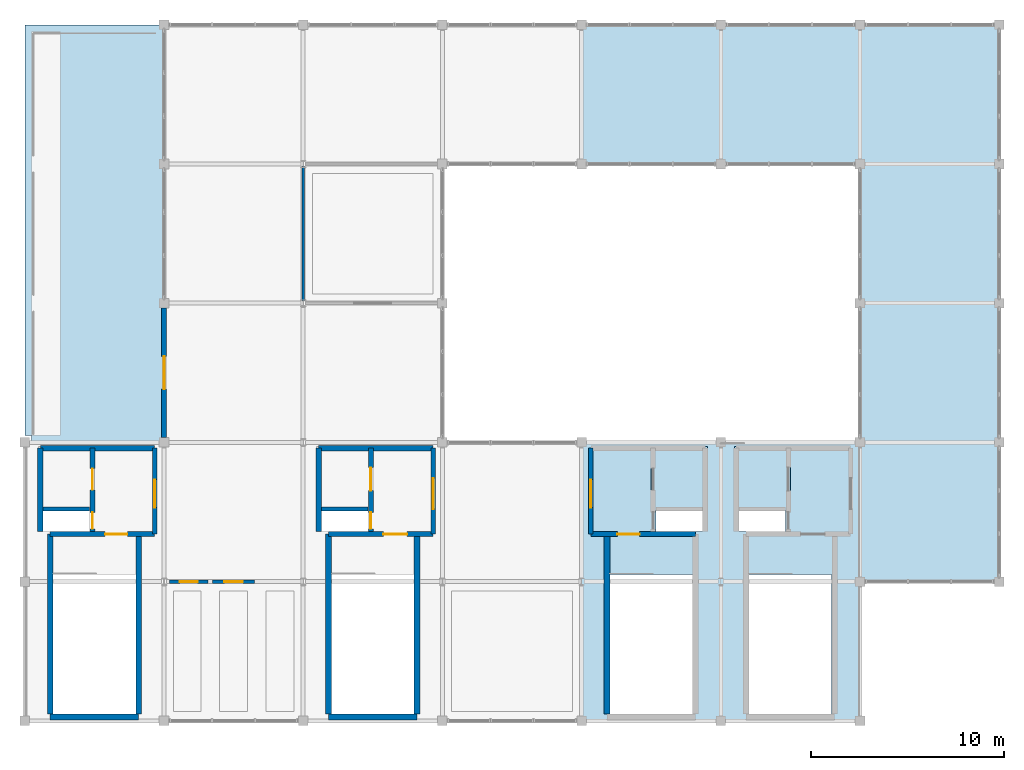
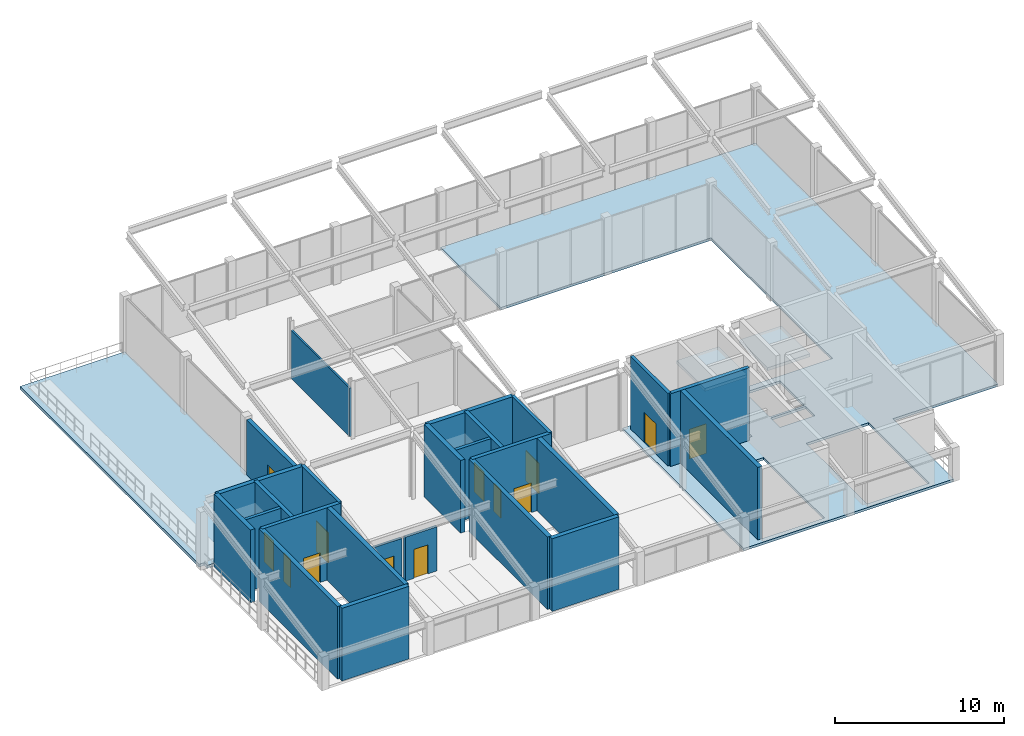
# One storey, part 4 of 16: 25 walls, 13 doors, 4 slabs, 13 openings.
"""IFC4 building model written with IfcOpenShell, lengths in metres."""

from ifc_helpers import new_model, si_unit, direction, frame, frame_2d, origin, place, context, subcontext, project, spatial, polyline, rectangle, outline, extrude, material, layer, layer_set, type_object, element, fill, save


model = new_model("IFC4")

# Units and contexts
model_context = context("Model", 3, precision=1e-05, world=origin(), true_north=direction((0.0, 1.0)))
body_context = subcontext(model_context, "Body", "Model", "MODEL_VIEW")
ifc_project = project(units=[si_unit("LENGTHUNIT", "METRE"), si_unit("AREAUNIT", "SQUARE_METRE"), si_unit("VOLUMEUNIT", "CUBIC_METRE"), si_unit("PLANEANGLEUNIT", "RADIAN"), si_unit("MASSUNIT", "GRAM", prefix="KILO")], contexts=[model_context])

# Site, building, storey
site_placement = place(None, origin())
site = spatial("IfcSite", under=ifc_project, at=site_placement, CompositionType="ELEMENT")
building_placement = place(site_placement, origin())
building = spatial("IfcBuilding", under=site, at=building_placement, Name="Sillqori Civic Hall", CompositionType="ELEMENT")
storey_placement = place(building_placement, frame((0.0, 0.0, 25.800048828125)))
storey = spatial("IfcBuildingStorey", under=building, at=storey_placement, Name="L07", CompositionType="ELEMENT", Elevation=25.800048828125)

# Slabs
ifc_material_1 = material(Name="Concrete C30/37 (H30)", Category="concrete")
ifc_layer_1 = layer(ifc_material_1, 0.179931640625)
ifc_layer_set_1 = layer_set([ifc_layer_1], Name="Concrete C30/37 (H30)")
slab_type_1 = type_object("IfcSlabType", Name="SLB-FLR-180", PredefinedType="FLOOR", material=ifc_layer_set_1)
slab_1_placement = place(storey_placement, frame((0.0, 0.0, -0.179931640625)))
element("IfcSlab", 1, at=slab_1_placement, inside=storey, type_object=slab_type_1, Name="L07 V4 composite floor slab 2.1", PredefinedType="FLOOR", context=body_context, shape_type="SweptSolid", body=[
    extrude(outline(polyline([(86.39990234375, 93.60009765625), (93.60009765625, 93.60009765625), (93.60009765625, 100.800048828125), (93.60009765625, 108.0), (86.39990234375, 108.0), (79.199951171875, 108.0), (79.199951171875, 115.199951171875), (86.39990234375, 115.199951171875), (93.60009765625, 115.199951171875), (100.800048828125, 115.199951171875), (100.800048828125, 108.0), (100.800048828125, 100.800048828125), (100.800048828125, 93.60009765625), (100.800048828125, 86.39990234375), (93.60009765625, 86.39990234375), (93.60009765625, 79.199951171875), (86.39990234375, 79.199951171875), (79.199951171875, 79.199951171875), (79.199951171875, 86.39990234375), (79.199951171875, 93.60009765625), (86.39990234375, 93.60009765625)]), holes=[polyline([(80.659912109375, 86.77001953125), (80.659912109375, 79.550048828125), (84.93994140625, 79.550048828125), (84.93994140625, 86.77001953125), (80.659912109375, 86.77001953125)]), polyline([(92.139892578125, 86.77001953125), (87.860107421875, 86.77001953125), (87.860107421875, 79.550048828125), (92.139892578125, 79.550048828125), (92.139892578125, 86.77001953125)]), polyline([(85.449951171875, 90.10009765625), (83.050048828125, 90.10009765625), (83.050048828125, 89.0), (85.449951171875, 89.0), (85.449951171875, 90.10009765625)]), polyline([(87.35009765625, 90.10009765625), (87.35009765625, 89.0), (89.75, 89.0), (89.75, 90.10009765625), (87.35009765625, 90.10009765625)]), polyline([(85.449951171875, 93.14990234375), (83.050048828125, 93.14990234375), (83.050048828125, 90.25), (85.449951171875, 90.25), (85.449951171875, 93.14990234375)]), polyline([(89.75, 93.14990234375), (87.35009765625, 93.14990234375), (87.35009765625, 90.25), (89.75, 90.25), (89.75, 93.14990234375)])]), origin(), (0.0, 0.0, 1.0), 0.179931640625),
])
ifc_material_2 = material(Name="Concrete C35/45 (H35)", Category="concrete")
ifc_layer_2 = layer(ifc_material_2, 0.219970703125)
ifc_layer_set_2 = layer_set([ifc_layer_2], Name="Concrete C35/45 (H35)")
slab_type_2 = type_object("IfcSlabType", Name="SLB-OVR-220", PredefinedType="ROOF", material=ifc_layer_set_2)
slab_2_placement = place(storey_placement, frame((0.0, 0.0, 3.530029296875)))
element("IfcSlab", 2, at=slab_2_placement, inside=storey, type_object=slab_type_2, Name="Lift shaft overrun slab LF-04", PredefinedType="ROOF", context=body_context, shape_type="SweptSolid", body=[
    extrude(outline(polyline([(82.800048828125, 90.050048828125), (85.699951171875, 90.050048828125), (85.699951171875, 93.39990234375), (82.800048828125, 93.39990234375), (82.800048828125, 90.050048828125)])), origin(), (0.0, 0.0, 1.0), 0.219970703125),
])
slab_3_placement = place(storey_placement, frame((0.0, 0.0, 3.530029296875)))
element("IfcSlab", 3, at=slab_3_placement, inside=storey, type_object=slab_type_2, Name="Lift shaft overrun slab LF-02", PredefinedType="ROOF", context=body_context, shape_type="SweptSolid", body=[
    extrude(outline(polyline([(87.10009765625, 90.050048828125), (90.0, 90.050048828125), (90.0, 93.39990234375), (87.10009765625, 93.39990234375), (87.10009765625, 90.050048828125)])), origin(), (0.0, 0.0, 1.0), 0.219970703125),
])
ifc_layer_3 = layer(ifc_material_2, 0.199951171875)
ifc_layer_set_3 = layer_set([ifc_layer_3], Name="Concrete C35/45 (H35)")
slab_type_3 = type_object("IfcSlabType", Name="SLB-TER-200", PredefinedType="FLOOR", material=ifc_layer_set_3)
slab_4_placement = place(storey_placement, frame((0.0, 0.0, -0.199951171875)))
element("IfcSlab", 4, at=slab_4_placement, inside=storey, type_object=slab_type_3, Name="Observatory West Setback Terrace", PredefinedType="FLOOR", context=body_context, shape_type="SweptSolid", body=[
    extrude(outline(polyline([(50.39990234375, 115.199951171875), (57.60009765625, 115.199951171875), (57.60009765625, 93.60009765625), (50.75, 93.60009765625), (50.75, 93.949951171875), (50.39990234375, 93.949951171875), (50.39990234375, 115.199951171875)])), origin(), (0.0, 0.0, 1.0), 0.199951171875),
])

# Wall
ifc_layer_4 = layer(ifc_material_2, 0.219970703125)
ifc_layer_set_4 = layer_set([ifc_layer_4], Name="Concrete C35/45 (H35)")
wall_type_1 = type_object("IfcWallType", Name="CW-SHR-220", PredefinedType="SHEAR", material=ifc_layer_set_4)
wall_1_placement = place(storey_placement, frame((51.35009765625, 90.14990234375, 0.0), z_axis=(0.0, 0.0, 1.0), x_axis=(1.0, 0.0, 0.0)))
element("IfcWall", 5, at=wall_1_placement, inside=storey, type_object=wall_type_1, Name="L07 C5 Lift-riser divider wall", PredefinedType="SHEAR", context=body_context, shape_type="SweptSolid", body=[
    extrude(rectangle(XDim=2.39990234375, YDim=0.219970703125, at=frame_2d((1.199951171875, 0.0))), origin(), (0.0, 0.0, 1.0), 5.260009765625),
])

# Wall, opening, door
wall_2_placement = place(storey_placement, frame((57.1201171875, 93.300048828125, 0.0), z_axis=(0.0, 0.0, 1.0), x_axis=(0.0, -1.0, 0.0)))
wall_2 = element("IfcWall", 6, at=wall_2_placement, inside=storey, type_object=wall_type_1, Name="L07 C5 firefighting lobby enclosure wall", PredefinedType="SHEAR", context=body_context, shape_type="SweptSolid", body=[
    extrude(rectangle(XDim=4.449951171875, YDim=0.219970703125, at=frame_2d((2.22509765625, 0.0))), origin(), (0.0, 0.0, 1.0), 5.260009765625),
])
opening_1_placement = place(wall_2_placement, frame((1.625, 0.0, 0.0)))
opening_1 = element("IfcOpeningElement", 7, at=opening_1_placement, cuts=wall_2, Name="Opening FD-03", PredefinedType="OPENING", context=body_context, shape_type="SweptSolid", body=[
    extrude(rectangle(XDim=1.449951171875, YDim=2.199951171875, at=frame_2d((0.72509765625, 1.10009765625))), frame((0.0, 0.119873046875, 0.0), z_axis=(0.0, -1.0, 0.0), x_axis=(1.0, 0.0, 0.0)), (0.0, 0.0, 1.0), 0.239990234375),
])
ifc_material_3 = material(Name="Double-Leaf Smoke-Seal Lobby Door", Category="steel")
door_type_1 = type_object("IfcDoorType", Name="FDR-LOB-145X220", OperationType="NOTDEFINED", PredefinedType="DOOR", material=ifc_material_3)
door_1_placement = place(opening_1_placement, origin())
door_1 = element("IfcDoor", 8, at=door_1_placement, inside=storey, type_object=door_type_1, Name="L07 C5 firefighting lobby exit door", OperationType="DOUBLE_DOOR_SINGLE_SWING", OverallHeight=2.199951171875, OverallWidth=1.449951171875, PredefinedType="DOOR", context=body_context, shape_type="SweptSolid", body=[
    extrude(rectangle(XDim=1.449951171875, YDim=2.199951171875, at=frame_2d((0.72509765625, 1.10009765625))), frame((0.0, 0.02490234375, 0.0), z_axis=(0.0, -1.0, 0.0), x_axis=(1.0, 0.0, 0.0)), (0.0, 0.0, 1.0), 0.050048828125),
])
fill(opening_1, door_1)

# Wall
wall_3_placement = place(storey_placement, frame((65.75, 90.14990234375, 0.0), z_axis=(0.0, 0.0, 1.0), x_axis=(1.0, 0.0, 0.0)))
element("IfcWall", 9, at=wall_3_placement, inside=storey, type_object=wall_type_1, Name="L07 C6 Lift-riser divider wall", PredefinedType="SHEAR", context=body_context, shape_type="SweptSolid", body=[
    extrude(rectangle(XDim=2.39990234375, YDim=0.219970703125, at=frame_2d((1.199951171875, 0.0))), origin(), (0.0, 0.0, 1.0), 5.260009765625),
])

# Wall, opening, door
wall_4_placement = place(storey_placement, frame((71.52001953125, 93.300048828125, 0.0), z_axis=(0.0, 0.0, 1.0), x_axis=(0.0, -1.0, 0.0)))
wall_4 = element("IfcWall", 10, at=wall_4_placement, inside=storey, type_object=wall_type_1, Name="L07 C6 firefighting lobby enclosure wall", PredefinedType="SHEAR", context=body_context, shape_type="SweptSolid", body=[
    extrude(rectangle(XDim=4.449951171875, YDim=0.219970703125, at=frame_2d((2.22509765625, 0.0))), origin(), (0.0, 0.0, 1.0), 5.260009765625),
])
opening_2_placement = place(wall_4_placement, frame((1.550048828125, 0.0, 0.0)))
opening_2 = element("IfcOpeningElement", 11, at=opening_2_placement, cuts=wall_4, Name="Opening FD-04", PredefinedType="OPENING", context=body_context, shape_type="SweptSolid", body=[
    extrude(rectangle(XDim=1.60009765625, YDim=2.199951171875, at=frame_2d((0.800048828125, 1.10009765625))), frame((0.0, 0.119873046875, 0.0), z_axis=(0.0, -1.0, 0.0), x_axis=(1.0, 0.0, 0.0)), (0.0, 0.0, 1.0), 0.239990234375),
])
ifc_material_4 = material(Name="Double-Leaf Firefighting Lobby Door", Category="steel")
door_type_2 = type_object("IfcDoorType", Name="FDR-LOB-160X220", OperationType="NOTDEFINED", PredefinedType="DOOR", material=ifc_material_4)
door_2_placement = place(opening_2_placement, origin())
door_2 = element("IfcDoor", 12, at=door_2_placement, inside=storey, type_object=door_type_2, Name="L07 C6 firefighting lobby exit door", OperationType="DOUBLE_DOOR_SINGLE_SWING", OverallHeight=2.199951171875, OverallWidth=1.60009765625, PredefinedType="DOOR", context=body_context, shape_type="SweptSolid", body=[
    extrude(rectangle(XDim=1.60009765625, YDim=2.199951171875, at=frame_2d((0.800048828125, 1.10009765625))), frame((0.0, 0.02490234375, 0.0), z_axis=(0.0, -1.0, 0.0), x_axis=(1.0, 0.0, 0.0)), (0.0, 0.0, 1.0), 0.050048828125),
])
fill(opening_2, door_2)

wall_5_placement = place(storey_placement, frame((79.679931640625, 88.85009765625, 0.0), z_axis=(0.0, 0.0, 1.0), x_axis=(0.0, 1.0, 0.0)))
wall_5 = element("IfcWall", 13, at=wall_5_placement, inside=storey, type_object=wall_type_1, Name="L07 C7 firefighting lobby enclosure wall", PredefinedType="SHEAR", context=body_context, shape_type="SweptSolid", body=[
    extrude(rectangle(XDim=4.449951171875, YDim=0.219970703125, at=frame_2d((2.22509765625, 0.0))), origin(), (0.0, 0.0, 1.0), 5.260009765625),
])
opening_3_placement = place(wall_5_placement, frame((1.375, 0.0, 0.0)))
opening_3 = element("IfcOpeningElement", 14, at=opening_3_placement, cuts=wall_5, Name="Opening FD-03", PredefinedType="OPENING", context=body_context, shape_type="SweptSolid", body=[
    extrude(rectangle(XDim=1.449951171875, YDim=2.199951171875, at=frame_2d((0.72509765625, 1.10009765625))), frame((0.0, 0.119873046875, 0.0), z_axis=(0.0, -1.0, 0.0), x_axis=(1.0, 0.0, 0.0)), (0.0, 0.0, 1.0), 0.239990234375),
])
door_3_placement = place(opening_3_placement, origin())
door_3 = element("IfcDoor", 15, at=door_3_placement, inside=storey, type_object=door_type_1, Name="L07 C7 firefighting lobby exit door", OperationType="DOUBLE_DOOR_SINGLE_SWING", OverallHeight=2.199951171875, OverallWidth=1.449951171875, PredefinedType="DOOR", context=body_context, shape_type="SweptSolid", body=[
    extrude(rectangle(XDim=1.449951171875, YDim=2.199951171875, at=frame_2d((0.72509765625, 1.10009765625))), frame((0.0, 0.02490234375, 0.0), z_axis=(0.0, -1.0, 0.0), x_axis=(1.0, 0.0, 0.0)), (0.0, 0.0, 1.0), 0.050048828125),
])
fill(opening_3, door_3)

ifc_layer_5 = layer(ifc_material_2, 0.260009765625)
ifc_layer_set_5 = layer_set([ifc_layer_5], Name="Concrete C35/45 (H35)")
wall_type_2 = type_object("IfcWallType", Name="CW-SHR-260", PredefinedType="SHEAR", material=ifc_layer_set_5)
wall_6_placement = place(storey_placement, frame((51.7099609375, 88.85009765625, 0.0), z_axis=(0.0, 0.0, 1.0), x_axis=(1.0, 0.0, 0.0)))
wall_6 = element("IfcWall", 16, at=wall_6_placement, inside=storey, type_object=wall_type_2, Name="L07 C5 Stair-lobby fire wall", PredefinedType="SHEAR", context=body_context, shape_type="SweptSolid", body=[
    extrude(rectangle(XDim=5.41015625, YDim=0.260009765625, at=frame_2d((2.705078125, 0.0))), origin(), (0.0, 0.0, 1.0), 5.260009765625),
])
opening_4_placement = place(wall_6_placement, frame((2.840087890625, 0.0, 0.0)))
opening_4 = element("IfcOpeningElement", 17, at=opening_4_placement, cuts=wall_6, Name="Opening FD-01", PredefinedType="OPENING", context=body_context, shape_type="SweptSolid", body=[
    extrude(rectangle(XDim=1.14990234375, YDim=2.14990234375, at=frame_2d((0.574951171875, 1.074951171875))), frame((0.0, 0.139892578125, 0.0), z_axis=(0.0, -1.0, 0.0), x_axis=(1.0, 0.0, 0.0)), (0.0, 0.0, 1.0), 0.280029296875),
])
ifc_material_5 = material(Name="Galvanized Steel Fire Door FD90S", Category="steel")
door_type_3 = type_object("IfcDoorType", Name="FDR-STR-115X215", OperationType="NOTDEFINED", PredefinedType="DOOR", material=ifc_material_5)
door_4_placement = place(opening_4_placement, origin())
door_4 = element("IfcDoor", 18, at=door_4_placement, inside=storey, type_object=door_type_3, Name="L07 stair ST-05 fire door", OperationType="SINGLE_SWING_RIGHT", OverallHeight=2.14990234375, OverallWidth=1.14990234375, PredefinedType="DOOR", context=body_context, shape_type="SweptSolid", body=[
    extrude(rectangle(XDim=1.14990234375, YDim=2.14990234375, at=frame_2d((0.574951171875, 1.074951171875))), frame((0.0, 0.02490234375, 0.0), z_axis=(0.0, -1.0, 0.0), x_axis=(1.0, 0.0, 0.0)), (0.0, 0.0, 1.0), 0.050048828125),
])
fill(opening_4, door_4)

# Wall, openings, doors
wall_7_placement = place(storey_placement, frame((53.89990234375, 93.300048828125, 0.0), z_axis=(0.0, 0.0, 1.0), x_axis=(0.0, -1.0, 0.0)))
wall_7 = element("IfcWall", 19, at=wall_7_placement, inside=storey, type_object=wall_type_2, Name="L07 C5 Lift landing & riser front wall", PredefinedType="SHEAR", context=body_context, shape_type="SweptSolid", body=[
    extrude(rectangle(XDim=4.320068359375, YDim=0.260009765625, at=frame_2d((2.16015625, 0.0))), origin(), (0.0, 0.0, 1.0), 5.260009765625),
])
opening_5_placement = place(wall_7_placement, frame((1.050048828125, 0.0, 0.0)))
opening_5 = element("IfcOpeningElement", 20, at=opening_5_placement, cuts=wall_7, Name="Opening LD-01", PredefinedType="OPENING", context=body_context, shape_type="SweptSolid", body=[
    extrude(rectangle(XDim=1.10009765625, YDim=2.14990234375, at=frame_2d((0.550048828125, 1.074951171875))), frame((0.0, 0.139892578125, 0.0), z_axis=(0.0, -1.0, 0.0), x_axis=(1.0, 0.0, 0.0)), (0.0, 0.0, 1.0), 0.280029296875),
])
opening_6_placement = place(wall_7_placement, frame((3.324951171875, 0.0, 0.0)))
opening_6 = element("IfcOpeningElement", 21, at=opening_6_placement, cuts=wall_7, Name="Opening FD-05", PredefinedType="OPENING", context=body_context, shape_type="SweptSolid", body=[
    extrude(rectangle(XDim=0.85009765625, YDim=2.050048828125, at=frame_2d((0.425048828125, 1.02490234375))), frame((0.0, 0.139892578125, 0.0), z_axis=(0.0, -1.0, 0.0), x_axis=(1.0, 0.0, 0.0)), (0.0, 0.0, 1.0), 0.280029296875),
])
ifc_material_6 = material(Name="Steel Riser Access Fire Door", Category="steel")
door_type_4 = type_object("IfcDoorType", Name="FDR-RSR-085X205", OperationType="NOTDEFINED", PredefinedType="DOOR", material=ifc_material_6)
door_5_placement = place(opening_6_placement, origin())
door_5 = element("IfcDoor", 22, at=door_5_placement, inside=storey, type_object=door_type_4, Name="L07 MEP riser C5 fire access door", OperationType="SINGLE_SWING_LEFT", OverallHeight=2.050048828125, OverallWidth=0.85009765625, PredefinedType="DOOR", context=body_context, shape_type="SweptSolid", body=[
    extrude(rectangle(XDim=0.85009765625, YDim=2.050048828125, at=frame_2d((0.425048828125, 1.02490234375))), frame((0.0, 0.02490234375, 0.0), z_axis=(0.0, -1.0, 0.0), x_axis=(1.0, 0.0, 0.0)), (0.0, 0.0, 1.0), 0.050048828125),
])
fill(opening_6, door_5)
ifc_material_7 = material(Name="Stainless Steel Lift Landing Door", Category="steel")
door_type_5 = type_object("IfcDoorType", Name="LDR-PASS-110X215", OperationType="NOTDEFINED", PredefinedType="DOOR", material=ifc_material_7)
door_6_placement = place(opening_5_placement, origin())
door_6 = element("IfcDoor", 23, at=door_6_placement, inside=storey, type_object=door_type_5, Name="L07 lift LF-03 sliding landing door", OperationType="DOUBLE_DOOR_SLIDING", OverallHeight=2.14990234375, OverallWidth=1.10009765625, PredefinedType="DOOR", context=body_context, shape_type="SweptSolid", body=[
    extrude(rectangle(XDim=1.10009765625, YDim=2.14990234375, at=frame_2d((0.550048828125, 1.074951171875))), frame((0.0, 0.02490234375, 0.0), z_axis=(0.0, -1.0, 0.0), x_axis=(1.0, 0.0, 0.0)), (0.0, 0.0, 1.0), 0.050048828125),
])
fill(opening_5, door_6)

# Wall, opening, door
wall_8_placement = place(storey_placement, frame((66.110107421875, 88.85009765625, 0.0), z_axis=(0.0, 0.0, 1.0), x_axis=(1.0, 0.0, 0.0)))
wall_8 = element("IfcWall", 24, at=wall_8_placement, inside=storey, type_object=wall_type_2, Name="L07 C6 Stair-lobby fire wall", PredefinedType="SHEAR", context=body_context, shape_type="SweptSolid", body=[
    extrude(rectangle(XDim=5.409912109375, YDim=0.260009765625, at=frame_2d((2.705078125, 0.0))), origin(), (0.0, 0.0, 1.0), 5.260009765625),
])
opening_7_placement = place(wall_8_placement, frame((2.840087890625, 0.0, 0.0)))
opening_7 = element("IfcOpeningElement", 25, at=opening_7_placement, cuts=wall_8, Name="Opening FD-02", PredefinedType="OPENING", context=body_context, shape_type="SweptSolid", body=[
    extrude(rectangle(XDim=1.219970703125, YDim=2.14990234375, at=frame_2d((0.60986328125, 1.074951171875))), frame((0.0, 0.139892578125, 0.0), z_axis=(0.0, -1.0, 0.0), x_axis=(1.0, 0.0, 0.0)), (0.0, 0.0, 1.0), 0.280029296875),
])
ifc_material_8 = material(Name="Galvanized Steel Fire Door FD120S", Category="steel")
door_type_6 = type_object("IfcDoorType", Name="FDR-STR-122X215", OperationType="NOTDEFINED", PredefinedType="DOOR", material=ifc_material_8)
door_7_placement = place(opening_7_placement, origin())
door_7 = element("IfcDoor", 26, at=door_7_placement, inside=storey, type_object=door_type_6, Name="L07 stair ST-06 fire door", OperationType="SINGLE_SWING_RIGHT", OverallHeight=2.14990234375, OverallWidth=1.219970703125, PredefinedType="DOOR", context=body_context, shape_type="SweptSolid", body=[
    extrude(rectangle(XDim=1.219970703125, YDim=2.14990234375, at=frame_2d((0.60986328125, 1.074951171875))), frame((0.0, 0.02490234375, 0.0), z_axis=(0.0, -1.0, 0.0), x_axis=(1.0, 0.0, 0.0)), (0.0, 0.0, 1.0), 0.050048828125),
])
fill(opening_7, door_7)

# Wall, openings, doors
wall_9_placement = place(storey_placement, frame((68.300048828125, 93.300048828125, 0.0), z_axis=(0.0, 0.0, 1.0), x_axis=(0.0, -1.0, 0.0)))
wall_9 = element("IfcWall", 27, at=wall_9_placement, inside=storey, type_object=wall_type_2, Name="L07 C6 Lift landing & riser front wall", PredefinedType="SHEAR", context=body_context, shape_type="SweptSolid", body=[
    extrude(rectangle(XDim=4.320068359375, YDim=0.260009765625, at=frame_2d((2.16015625, 0.0))), origin(), (0.0, 0.0, 1.0), 5.260009765625),
])
opening_8_placement = place(wall_9_placement, frame((1.0, 0.0, 0.0)))
opening_8 = element("IfcOpeningElement", 28, at=opening_8_placement, cuts=wall_9, Name="Opening LD-02", PredefinedType="OPENING", context=body_context, shape_type="SweptSolid", body=[
    extrude(rectangle(XDim=1.199951171875, YDim=2.14990234375, at=frame_2d((0.60009765625, 1.074951171875))), frame((0.0, 0.139892578125, 0.0), z_axis=(0.0, -1.0, 0.0), x_axis=(1.0, 0.0, 0.0)), (0.0, 0.0, 1.0), 0.280029296875),
])
opening_9_placement = place(wall_9_placement, frame((3.324951171875, 0.0, 0.0)))
opening_9 = element("IfcOpeningElement", 29, at=opening_9_placement, cuts=wall_9, Name="Opening FD-05", PredefinedType="OPENING", context=body_context, shape_type="SweptSolid", body=[
    extrude(rectangle(XDim=0.85009765625, YDim=2.050048828125, at=frame_2d((0.425048828125, 1.02490234375))), frame((0.0, 0.139892578125, 0.0), z_axis=(0.0, -1.0, 0.0), x_axis=(1.0, 0.0, 0.0)), (0.0, 0.0, 1.0), 0.280029296875),
])
door_8_placement = place(opening_9_placement, origin())
door_8 = element("IfcDoor", 30, at=door_8_placement, inside=storey, type_object=door_type_4, Name="L07 MEP riser C6 fire access door", OperationType="SINGLE_SWING_LEFT", OverallHeight=2.050048828125, OverallWidth=0.85009765625, PredefinedType="DOOR", context=body_context, shape_type="SweptSolid", body=[
    extrude(rectangle(XDim=0.85009765625, YDim=2.050048828125, at=frame_2d((0.425048828125, 1.02490234375))), frame((0.0, 0.02490234375, 0.0), z_axis=(0.0, -1.0, 0.0), x_axis=(1.0, 0.0, 0.0)), (0.0, 0.0, 1.0), 0.050048828125),
])
fill(opening_9, door_8)
ifc_material_9 = material(Name="Firefighting Lift Landing Door", Category="steel")
door_type_7 = type_object("IfcDoorType", Name="LDR-FIRE-120X215", OperationType="NOTDEFINED", PredefinedType="DOOR", material=ifc_material_9)
door_9_placement = place(opening_8_placement, origin())
door_9 = element("IfcDoor", 31, at=door_9_placement, inside=storey, type_object=door_type_7, Name="L07 lift LF-01 sliding landing door", OperationType="DOUBLE_DOOR_SLIDING", OverallHeight=2.14990234375, OverallWidth=1.199951171875, PredefinedType="DOOR", context=body_context, shape_type="SweptSolid", body=[
    extrude(rectangle(XDim=1.199951171875, YDim=2.14990234375, at=frame_2d((0.60009765625, 1.074951171875))), frame((0.0, 0.02490234375, 0.0), z_axis=(0.0, -1.0, 0.0), x_axis=(1.0, 0.0, 0.0)), (0.0, 0.0, 1.0), 0.050048828125),
])
fill(opening_8, door_9)

# Wall, opening, door
wall_10_placement = place(storey_placement, frame((79.679931640625, 88.85009765625, 0.0), z_axis=(0.0, 0.0, 1.0), x_axis=(1.0, 0.0, 0.0)))
wall_10 = element("IfcWall", 32, at=wall_10_placement, inside=storey, type_object=wall_type_2, Name="L07 C7 Stair-lobby fire wall", PredefinedType="SHEAR", context=body_context, shape_type="SweptSolid", body=[
    extrude(rectangle(XDim=5.41015625, YDim=0.260009765625, at=frame_2d((2.705078125, 0.0))), origin(), (0.0, 0.0, 1.0), 5.260009765625),
])
opening_10_placement = place(wall_10_placement, frame((1.3701171875, 0.0, 0.0)))
opening_10 = element("IfcOpeningElement", 33, at=opening_10_placement, cuts=wall_10, Name="Opening FD-01", PredefinedType="OPENING", context=body_context, shape_type="SweptSolid", body=[
    extrude(rectangle(XDim=1.14990234375, YDim=2.14990234375, at=frame_2d((0.574951171875, 1.074951171875))), frame((0.0, 0.139892578125, 0.0), z_axis=(0.0, -1.0, 0.0), x_axis=(1.0, 0.0, 0.0)), (0.0, 0.0, 1.0), 0.280029296875),
])
door_10_placement = place(opening_10_placement, origin())
door_10 = element("IfcDoor", 34, at=door_10_placement, inside=storey, type_object=door_type_3, Name="L07 stair ST-07 fire door", OperationType="SINGLE_SWING_RIGHT", OverallHeight=2.14990234375, OverallWidth=1.14990234375, PredefinedType="DOOR", context=body_context, shape_type="SweptSolid", body=[
    extrude(rectangle(XDim=1.14990234375, YDim=2.14990234375, at=frame_2d((0.574951171875, 1.074951171875))), frame((0.0, 0.02490234375, 0.0), z_axis=(0.0, -1.0, 0.0), x_axis=(1.0, 0.0, 0.0)), (0.0, 0.0, 1.0), 0.050048828125),
])
fill(opening_10, door_10)

# Walls
ifc_layer_6 = layer(ifc_material_2, 0.300048828125)
ifc_layer_set_6 = layer_set([ifc_layer_6], Name="Concrete C35/45 (H35)")
wall_type_3 = type_object("IfcWallType", Name="CW-SHR-300", PredefinedType="SHEAR", material=ifc_layer_set_6)
wall_11_placement = place(storey_placement, frame((51.7099609375, 79.39990234375, 0.0), z_axis=(0.0, 0.0, 1.0), x_axis=(1.0, 0.0, 0.0)))
element("IfcWall", 35, at=wall_11_placement, inside=storey, type_object=wall_type_3, Name="L07 C5 Stair south shear wall", PredefinedType="SHEAR", context=body_context, shape_type="SweptSolid", body=[
    extrude(rectangle(XDim=4.580078125, YDim=0.300048828125, at=frame_2d((2.2900390625, 0.0))), origin(), (0.0, 0.0, 1.0), 5.260009765625),
])
for number, where, z_axis, x_axis, name in (
    (36, (51.7099609375, 79.550048828125, 0.0), (0.0, 0.0, 1.0), (0.0, 1.0, 0.0), "L07 C5 Stair west shear wall"),
    (37, (56.2900390625, 79.550048828125, 0.0), (0.0, 0.0, 1.0), (0.0, 1.0, 0.0), "L07 C5 Stair east shear wall"),
):
    element("IfcWall", number, at=place(storey_placement, frame(where, z_axis=z_axis, x_axis=x_axis)), inside=storey, type_object=wall_type_3, Name=name, PredefinedType="SHEAR", context=body_context, shape_type="SweptSolid", body=[
        extrude(rectangle(XDim=9.300048828125, YDim=0.300048828125, at=frame_2d((4.64990234375, 0.0))), origin(), (0.0, 0.0, 1.0), 5.260009765625),
    ])
wall_12_placement = place(storey_placement, frame((51.199951171875, 88.97998046875, 0.0), z_axis=(0.0, 0.0, 1.0), x_axis=(0.0, 1.0, 0.0)))
element("IfcWall", 38, at=wall_12_placement, inside=storey, type_object=wall_type_3, Name="L07 C5 Lift shaft west shear wall", PredefinedType="SHEAR", context=body_context, shape_type="SweptSolid", body=[
    extrude(rectangle(XDim=4.320068359375, YDim=0.300048828125, at=frame_2d((2.16015625, 0.0))), origin(), (0.0, 0.0, 1.0), 5.260009765625),
])
wall_13_placement = place(storey_placement, frame((51.199951171875, 93.300048828125, 0.0), z_axis=(0.0, 0.0, 1.0), x_axis=(1.0, 0.0, 0.0)))
element("IfcWall", 39, at=wall_13_placement, inside=storey, type_object=wall_type_3, Name="L07 C5 Core north shear wall", PredefinedType="SHEAR", context=body_context, shape_type="SweptSolid", body=[
    extrude(rectangle(XDim=5.920166015625, YDim=0.300048828125, at=frame_2d((2.9599609375, 0.0))), origin(), (0.0, 0.0, 1.0), 5.260009765625),
])
wall_14_placement = place(storey_placement, frame((66.110107421875, 79.39990234375, 0.0), z_axis=(0.0, 0.0, 1.0), x_axis=(1.0, 0.0, 0.0)))
element("IfcWall", 40, at=wall_14_placement, inside=storey, type_object=wall_type_3, Name="L07 C6 Stair south shear wall", PredefinedType="SHEAR", context=body_context, shape_type="SweptSolid", body=[
    extrude(rectangle(XDim=4.579833984375, YDim=0.300048828125, at=frame_2d((2.2900390625, 0.0))), origin(), (0.0, 0.0, 1.0), 5.260009765625),
])
for number, where, z_axis, x_axis, name in (
    (41, (66.110107421875, 79.550048828125, 0.0), (0.0, 0.0, 1.0), (0.0, 1.0, 0.0), "L07 C6 Stair west shear wall"),
    (42, (70.68994140625, 79.550048828125, 0.0), (0.0, 0.0, 1.0), (0.0, 1.0, 0.0), "L07 C6 Stair east shear wall"),
):
    element("IfcWall", number, at=place(storey_placement, frame(where, z_axis=z_axis, x_axis=x_axis)), inside=storey, type_object=wall_type_3, Name=name, PredefinedType="SHEAR", context=body_context, shape_type="SweptSolid", body=[
        extrude(rectangle(XDim=9.300048828125, YDim=0.300048828125, at=frame_2d((4.64990234375, 0.0))), origin(), (0.0, 0.0, 1.0), 5.260009765625),
    ])
wall_15_placement = place(storey_placement, frame((65.60009765625, 88.97998046875, 0.0), z_axis=(0.0, 0.0, 1.0), x_axis=(0.0, 1.0, 0.0)))
element("IfcWall", 43, at=wall_15_placement, inside=storey, type_object=wall_type_3, Name="L07 C6 Lift shaft west shear wall", PredefinedType="SHEAR", context=body_context, shape_type="SweptSolid", body=[
    extrude(rectangle(XDim=4.320068359375, YDim=0.300048828125, at=frame_2d((2.16015625, 0.0))), origin(), (0.0, 0.0, 1.0), 5.260009765625),
])
wall_16_placement = place(storey_placement, frame((65.60009765625, 93.300048828125, 0.0), z_axis=(0.0, 0.0, 1.0), x_axis=(1.0, 0.0, 0.0)))
element("IfcWall", 44, at=wall_16_placement, inside=storey, type_object=wall_type_3, Name="L07 C6 Core north shear wall", PredefinedType="SHEAR", context=body_context, shape_type="SweptSolid", body=[
    extrude(rectangle(XDim=5.919921875, YDim=0.300048828125, at=frame_2d((2.9599609375, 0.0))), origin(), (0.0, 0.0, 1.0), 5.260009765625),
])
wall_17_placement = place(storey_placement, frame((80.510009765625, 79.550048828125, 0.0), z_axis=(0.0, 0.0, 1.0), x_axis=(0.0, 1.0, 0.0)))
element("IfcWall", 45, at=wall_17_placement, inside=storey, type_object=wall_type_3, Name="L07 C7 Stair west shear wall", PredefinedType="SHEAR", context=body_context, shape_type="SweptSolid", body=[
    extrude(rectangle(XDim=9.300048828125, YDim=0.300048828125, at=frame_2d((4.64990234375, 0.0))), origin(), (0.0, 0.0, 1.0), 5.260009765625),
])

# Wall, opening, door
ifc_material_10 = material(Name="Precast concrete C40/50 (H40)", Category="concrete")
ifc_layer_7 = layer(ifc_material_10, 0.280029296875)
ifc_layer_set_7 = layer_set([ifc_layer_7], Name="Precast concrete C40/50 (H40)")
wall_type_4 = type_object("IfcWallType", Name="EW-LIME-280", PredefinedType="SOLIDWALL", material=ifc_layer_set_7)
wall_18_placement = place(storey_placement, frame((57.60009765625, 93.85009765625, 0.0), z_axis=(0.0, 0.0, 1.0), x_axis=(0.0, 1.0, 0.0)))
wall_18 = element("IfcWall", 46, at=wall_18_placement, inside=storey, type_object=wall_type_4, Name="L07 V4 exterior wall L07-08-13-W", PredefinedType="SOLIDWALL", context=body_context, shape_type="SweptSolid", body=[
    extrude(rectangle(XDim=6.699951171875, YDim=0.280029296875, at=frame_2d((3.35009765625, 0.0))), origin(), (0.0, 0.0, 1.0), 4.0),
])
opening_11_placement = place(wall_18_placement, frame((2.5, 0.0, 0.0)))
opening_11 = element("IfcOpeningElement", 47, at=opening_11_placement, cuts=wall_18, Name="Opening ED-07", PredefinedType="OPENING", context=body_context, shape_type="SweptSolid", body=[
    extrude(rectangle(XDim=1.699951171875, YDim=2.25, at=frame_2d((0.85009765625, 1.125))), frame((0.0, 0.14990234375, 0.0), z_axis=(0.0, -1.0, 0.0), x_axis=(1.0, 0.0, 0.0)), (0.0, 0.0, 1.0), 0.300048828125),
])
ifc_material_11 = material(Name="Thermally Broken Anodized Aluminium and Laminated Glass", Category="aluminium")
door_type_8 = type_object("IfcDoorType", Name="EDR-TERR-170X225", OperationType="NOTDEFINED", PredefinedType="DOOR", material=ifc_material_11)
door_11_placement = place(opening_11_placement, origin())
door_11 = element("IfcDoor", 48, at=door_11_placement, inside=storey, type_object=door_type_8, Name="Observatory West Setback Terrace Access Door", OperationType="DOUBLE_DOOR_SINGLE_SWING", OverallHeight=2.25, OverallWidth=1.699951171875, PredefinedType="DOOR", context=body_context, shape_type="SweptSolid", body=[
    extrude(rectangle(XDim=1.699951171875, YDim=2.25, at=frame_2d((0.85009765625, 1.125))), frame((0.0, 0.02490234375, 0.0), z_axis=(0.0, -1.0, 0.0), x_axis=(1.0, 0.0, 0.0)), (0.0, 0.0, 1.0), 0.050048828125),
])
fill(opening_11, door_11)

# Wall
ifc_material_12 = material(Name="Acoustic Steel-Stud Partition 120", Category="steel")
ifc_layer_8 = layer(ifc_material_12, 0.1201171875)
ifc_layer_set_8 = layer_set([ifc_layer_8], Name="Acoustic Steel-Stud Partition 120")
wall_type_5 = type_object("IfcWallType", Name="PT-GYP-120", PredefinedType="PARTITIONING", material=ifc_layer_set_8)
wall_19_placement = place(storey_placement, frame((64.800048828125, 100.919921875, 0.0), z_axis=(0.0, 0.0, 1.0), x_axis=(0.0, 1.0, 0.0)))
element("IfcWall", 49, at=wall_19_placement, inside=storey, type_object=wall_type_5, Name="Civic Observatory Panorama Gallery partition W3", PredefinedType="PARTITIONING", context=body_context, shape_type="SweptSolid", body=[
    extrude(rectangle(XDim=6.9599609375, YDim=0.1201171875, at=frame_2d((3.47998046875, 0.0))), origin(), (0.0, 0.0, 1.0), 3.501220703125),
])

# Wall, opening, door
ifc_material_13 = material(Name="Concrete C25/30 (H25)", Category="concrete")
ifc_layer_9 = layer(ifc_material_13, 0.18994140625)
ifc_layer_set_9 = layer_set([ifc_layer_9], Name="Concrete C25/30 (H25)")
wall_type_6 = type_object("IfcWallType", Name="PT-MAS-190", PredefinedType="PARTITIONING", material=ifc_layer_set_9)
wall_20_placement = place(storey_placement, frame((57.8798828125, 86.39990234375, 0.0), z_axis=(0.0, 0.0, 1.0), x_axis=(1.0, 0.0, 0.0)))
wall_20 = element("IfcWall", 50, at=wall_20_placement, inside=storey, type_object=wall_type_6, Name="L07 Public Male WC partition N1", PredefinedType="PARTITIONING", context=body_context, shape_type="SweptSolid", body=[
    extrude(rectangle(XDim=2.0, YDim=0.18994140625, at=frame_2d((1.0, 0.0))), origin(), (0.0, 0.0, 1.0), 3.19384765625),
])
opening_12_placement = place(wall_20_placement, frame((0.5400390625, 0.0, 0.0)))
opening_12 = element("IfcOpeningElement", 51, at=opening_12_placement, cuts=wall_20, Name="Opening ID-19", PredefinedType="OPENING", context=body_context, shape_type="SweptSolid", body=[
    extrude(rectangle(XDim=0.919921875, YDim=2.10009765625, at=frame_2d((0.4599609375, 1.050048828125))), frame((0.0, 0.10498046875, 0.0), z_axis=(0.0, -1.0, 0.0), x_axis=(1.0, 0.0, 0.0)), (0.0, 0.0, 1.0), 0.2099609375),
])
ifc_material_14 = material(Name="Moisture-Resistant Sanitary Door 920", Category="timber")
door_type_9 = type_object("IfcDoorType", Name="IDR-WC-092X210", OperationType="NOTDEFINED", PredefinedType="DOOR", material=ifc_material_14)
door_12_placement = place(opening_12_placement, origin())
door_12 = element("IfcDoor", 52, at=door_12_placement, inside=storey, type_object=door_type_9, Name="L07 Public Male WC entrance door", OperationType="SINGLE_SWING_LEFT", OverallHeight=2.10009765625, OverallWidth=0.919921875, PredefinedType="DOOR", context=body_context, shape_type="SweptSolid", body=[
    extrude(rectangle(XDim=0.919921875, YDim=2.10009765625, at=frame_2d((0.4599609375, 1.050048828125))), frame((0.0, 0.02490234375, 0.0), z_axis=(0.0, -1.0, 0.0), x_axis=(1.0, 0.0, 0.0)), (0.0, 0.0, 1.0), 0.050048828125),
])
fill(opening_12, door_12)

wall_21_placement = place(storey_placement, frame((60.1201171875, 86.39990234375, 0.0), z_axis=(0.0, 0.0, 1.0), x_axis=(1.0, 0.0, 0.0)))
wall_21 = element("IfcWall", 53, at=wall_21_placement, inside=storey, type_object=wall_type_6, Name="L07 Public Female WC partition N1", PredefinedType="PARTITIONING", context=body_context, shape_type="SweptSolid", body=[
    extrude(rectangle(XDim=2.159912109375, YDim=0.18994140625, at=frame_2d((1.080078125, 0.0))), origin(), (0.0, 0.0, 1.0), 3.19384765625),
])
opening_13_placement = place(wall_21_placement, frame((0.60009765625, 0.0, 0.0)))
opening_13 = element("IfcOpeningElement", 54, at=opening_13_placement, cuts=wall_21, Name="Opening ID-20", PredefinedType="OPENING", context=body_context, shape_type="SweptSolid", body=[
    extrude(rectangle(XDim=0.9599609375, YDim=2.10009765625, at=frame_2d((0.47998046875, 1.050048828125))), frame((0.0, 0.10498046875, 0.0), z_axis=(0.0, -1.0, 0.0), x_axis=(1.0, 0.0, 0.0)), (0.0, 0.0, 1.0), 0.2099609375),
])
ifc_material_15 = material(Name="Moisture-Resistant Sanitary Door 960", Category="timber")
door_type_10 = type_object("IfcDoorType", Name="IDR-WC-096X210", OperationType="NOTDEFINED", PredefinedType="DOOR", material=ifc_material_15)
door_13_placement = place(opening_13_placement, origin())
door_13 = element("IfcDoor", 55, at=door_13_placement, inside=storey, type_object=door_type_10, Name="L07 Public Female WC entrance door", OperationType="SINGLE_SWING_RIGHT", OverallHeight=2.10009765625, OverallWidth=0.9599609375, PredefinedType="DOOR", context=body_context, shape_type="SweptSolid", body=[
    extrude(rectangle(XDim=0.9599609375, YDim=2.10009765625, at=frame_2d((0.47998046875, 1.050048828125))), frame((0.0, 0.02490234375, 0.0), z_axis=(0.0, -1.0, 0.0), x_axis=(1.0, 0.0, 0.0)), (0.0, 0.0, 1.0), 0.050048828125),
])
fill(opening_13, door_13)

save(model, "model.ifc")
